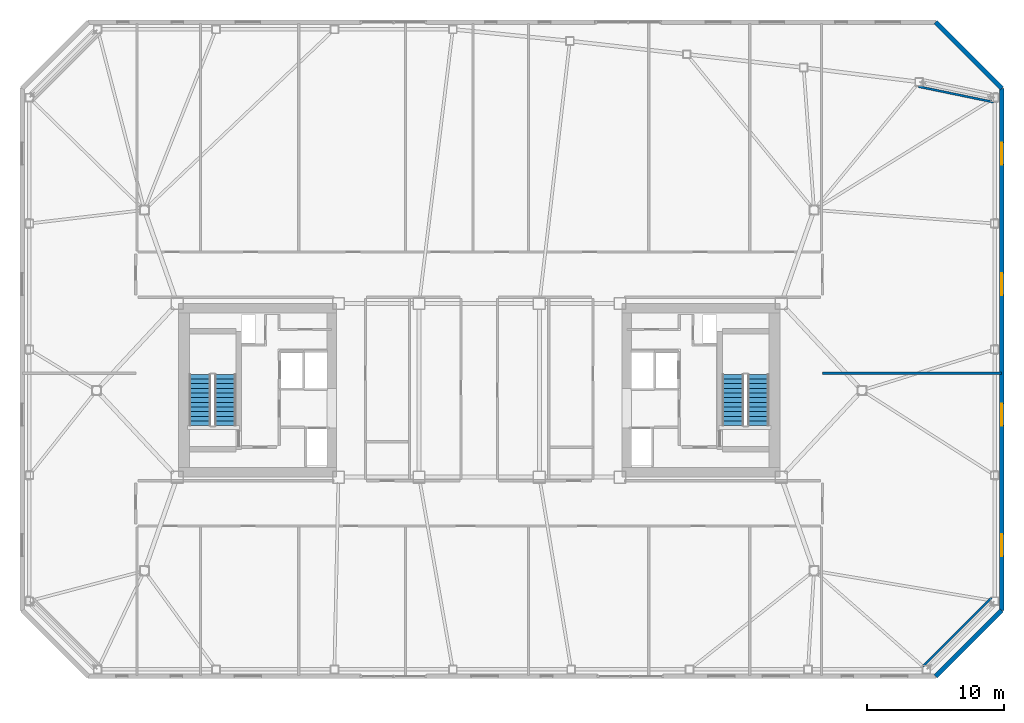
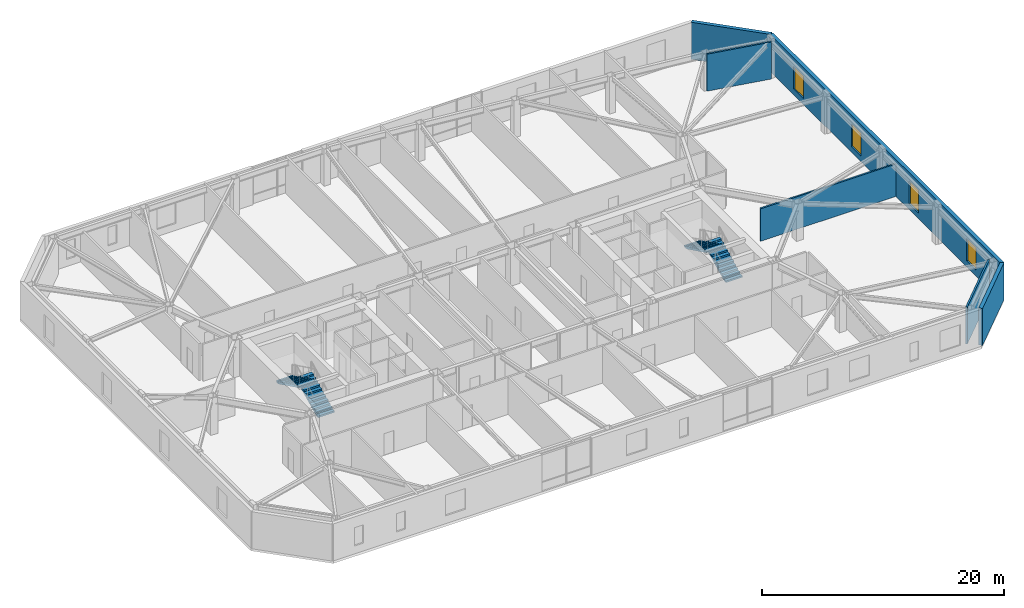
# One storey, part 14 of 18: 6 walls, 4 stair flights, 4 windows, 4 openings, 2 elements without a shape of their own.
"""IFC4 building model written with IfcOpenShell, lengths in metres."""

from ifc_helpers import new_model, si_unit, direction, frame, frame_2d, origin, place, context, subcontext, project, spatial, polyline, rectangle, outline, extrude, material, layer, layer_set, type_object, element, fill, aggregate, save


model = new_model("IFC4")

# Units and contexts
model_context = context("Model", 3, precision=1e-05, world=origin(), true_north=direction((0.0, 1.0)))
body_context = subcontext(model_context, "Body", "Model", "MODEL_VIEW")
ifc_project = project(units=[si_unit("LENGTHUNIT", "METRE"), si_unit("AREAUNIT", "SQUARE_METRE"), si_unit("VOLUMEUNIT", "CUBIC_METRE"), si_unit("PLANEANGLEUNIT", "RADIAN"), si_unit("MASSUNIT", "GRAM", prefix="KILO")], contexts=[model_context])

# Site, building, storey
site_placement = place(None, origin())
site = spatial("IfcSite", under=ifc_project, at=site_placement, CompositionType="ELEMENT")
building_placement = place(site_placement, origin())
building = spatial("IfcBuilding", under=site, at=building_placement, Name="Tavrogorsk Clinical Tower", CompositionType="ELEMENT")
storey_placement = place(building_placement, frame((0.0, 0.0, 192.199951171875)))
storey = spatial("IfcBuildingStorey", under=building, at=storey_placement, Name="L44", CompositionType="ELEMENT", Elevation=192.199951171875)

# Walls
ifc_material_1 = material(Name="Lightweight concrete blockwork B15", Category="masonry")
ifc_layer_1 = layer(ifc_material_1, 0.159912109375)
ifc_layer_set_1 = layer_set([ifc_layer_1], Name="Lightweight concrete blockwork B15")
wall_type_1 = type_object("IfcWallType", Name="PartitionWall_160", PredefinedType="PARTITIONING", material=ifc_layer_set_1)
wall_1_placement = place(storey_placement, frame((32.4794921875, -20.1796875, 0.0), z_axis=(0.0, 0.0, 1.0), x_axis=(0.707106781187, 0.707106781187, 0.0)))
element("IfcWall", 1, at=wall_1_placement, inside=storey, type_object=wall_type_1, Name="L44 Corner Exoskeleton Brace Furring Wall 1", PredefinedType="PARTITIONING", context=body_context, shape_type="SweptSolid", body=[
    extrude(rectangle(XDim=7.071044921875, YDim=0.159912109375, at=frame_2d((3.53564453125, 0.0))), origin(), (0.0, 0.0, 1.0), 3.739990234375),
])
wall_2_placement = place(storey_placement, frame((37.65087890625, 21.0869140625, 0.0), z_axis=(0.0, 0.0, 1.0), x_axis=(-0.979184618318, 0.202971631636, 0.0)))
element("IfcWall", 2, at=wall_2_placement, inside=storey, type_object=wall_type_1, Name="L44 Corner Exoskeleton Brace Furring Wall 2", PredefinedType="PARTITIONING", context=body_context, shape_type="SweptSolid", body=[
    extrude(rectangle(XDim=5.64599609375, YDim=0.159912109375, at=frame_2d((2.822998046875, 0.0))), origin(), (0.0, 0.0, 1.0), 3.739990234375),
])
wall_3_placement = place(storey_placement, frame((25.1298828125, 1.25, 0.0), z_axis=(0.0, 0.0, 1.0), x_axis=(1.0, 0.0, 0.0)))
element("IfcWall", 3, at=wall_3_placement, inside=storey, type_object=wall_type_1, Name="L44 E Wing Divider 1", PredefinedType="PARTITIONING", context=body_context, shape_type="SweptSolid", body=[
    extrude(rectangle(XDim=13.080078125, YDim=0.159912109375, at=frame_2d((6.5400390625, 0.0))), origin(), (0.0, 0.0, 1.0), 3.28515625),
])

# Wall, openings, windows
ifc_material_2 = material(Name="Precast concrete B45 with limestone cladding", Category="masonry")
ifc_layer_2 = layer(ifc_material_2, 0.340087890625)
ifc_layer_set_2 = layer_set([ifc_layer_2], Name="Precast concrete B45 with limestone cladding")
wall_type_2 = type_object("IfcWallType", Name="PrecastLimestoneWall_340", PredefinedType="STANDARD", material=ifc_layer_set_2)
wall_4_placement = place(storey_placement, frame((38.22998046875, -16.10009765625, 0.0), z_axis=(0.0, 0.0, 1.0), x_axis=(0.0, 1.0, 0.0)))
wall_4 = element("IfcWall", 4, at=wall_4_placement, inside=storey, type_object=wall_type_2, Name="L44 E Pleated Limestone Wing Wall", PredefinedType="STANDARD", context=body_context, shape_type="SweptSolid", body=[
    extrude(rectangle(XDim=38.2001953125, YDim=0.340087890625, at=frame_2d((19.10009765625, 0.0))), origin(), (0.0, 0.0, 1.0), 3.739990234375),
])
opening_1_placement = place(wall_4_placement, frame((3.97509765625, 0.0, 0.580078125)))
opening_1 = element("IfcOpeningElement", 5, at=opening_1_placement, cuts=wall_4, Name="Opening WN-07", PredefinedType="OPENING", context=body_context, shape_type="SweptSolid", body=[
    extrude(rectangle(XDim=1.60009765625, YDim=2.300048828125, at=frame_2d((0.800048828125, 1.14990234375))), frame((0.0, 0.179931640625, 0.0), z_axis=(0.0, -1.0, 0.0), x_axis=(1.0, 0.0, 0.0)), (0.0, 0.0, 1.0), 0.360107421875),
])
opening_2_placement = place(wall_4_placement, frame((13.52490234375, 0.0, 0.580078125)))
opening_2 = element("IfcOpeningElement", 6, at=opening_2_placement, cuts=wall_4, Name="Opening WN-07", PredefinedType="OPENING", context=body_context, shape_type="SweptSolid", body=[
    extrude(rectangle(XDim=1.60009765625, YDim=2.300048828125, at=frame_2d((0.800048828125, 1.14990234375))), frame((0.0, 0.179931640625, 0.0), z_axis=(0.0, -1.0, 0.0), x_axis=(1.0, 0.0, 0.0)), (0.0, 0.0, 1.0), 0.360107421875),
])
opening_3_placement = place(wall_4_placement, frame((23.074951171875, 0.0, 0.580078125)))
opening_3 = element("IfcOpeningElement", 7, at=opening_3_placement, cuts=wall_4, Name="Opening WN-07", PredefinedType="OPENING", context=body_context, shape_type="SweptSolid", body=[
    extrude(rectangle(XDim=1.60009765625, YDim=2.300048828125, at=frame_2d((0.800048828125, 1.14990234375))), frame((0.0, 0.179931640625, 0.0), z_axis=(0.0, -1.0, 0.0), x_axis=(1.0, 0.0, 0.0)), (0.0, 0.0, 1.0), 0.360107421875),
])
opening_4_placement = place(wall_4_placement, frame((32.625, 0.0, 0.580078125)))
opening_4 = element("IfcOpeningElement", 8, at=opening_4_placement, cuts=wall_4, Name="Opening WN-07", PredefinedType="OPENING", context=body_context, shape_type="SweptSolid", body=[
    extrude(rectangle(XDim=1.60009765625, YDim=2.300048828125, at=frame_2d((0.800048828125, 1.14990234375))), frame((0.0, 0.179931640625, 0.0), z_axis=(0.0, -1.0, 0.0), x_axis=(1.0, 0.0, 0.0)), (0.0, 0.0, 1.0), 0.360107421875),
])
ifc_material_3 = material(Name="Thermally broken aluminium frame and triple IGU", Category="aluminium")
window_type = type_object("IfcWindowType", Name="PleatSlotWin_1600x2300", PartitioningType="SINGLE_PANEL", PredefinedType="WINDOW", material=ifc_material_3)
window_1_placement = place(opening_1_placement, origin())
window_1 = element("IfcWindow", 9, at=window_1_placement, inside=storey, type_object=window_type, Name="L44 E Pleat Slot Window 1", OverallHeight=2.300048828125, OverallWidth=1.60009765625, PartitioningType="SINGLE_PANEL", PredefinedType="WINDOW", context=body_context, shape_type="SweptSolid", body=[
    extrude(rectangle(XDim=1.60009765625, YDim=2.300048828125, at=frame_2d((0.800048828125, 1.14990234375))), frame((0.0, 0.030029296875, 0.0), z_axis=(0.0, -1.0, 0.0), x_axis=(1.0, 0.0, 0.0)), (0.0, 0.0, 1.0), 0.06005859375),
])
fill(opening_1, window_1)
window_2_placement = place(opening_2_placement, origin())
window_2 = element("IfcWindow", 10, at=window_2_placement, inside=storey, type_object=window_type, Name="L44 E Pleat Slot Window 2", OverallHeight=2.300048828125, OverallWidth=1.60009765625, PartitioningType="SINGLE_PANEL", PredefinedType="WINDOW", context=body_context, shape_type="SweptSolid", body=[
    extrude(rectangle(XDim=1.60009765625, YDim=2.300048828125, at=frame_2d((0.800048828125, 1.14990234375))), frame((0.0, 0.030029296875, 0.0), z_axis=(0.0, -1.0, 0.0), x_axis=(1.0, 0.0, 0.0)), (0.0, 0.0, 1.0), 0.06005859375),
])
fill(opening_2, window_2)
window_3_placement = place(opening_3_placement, origin())
window_3 = element("IfcWindow", 11, at=window_3_placement, inside=storey, type_object=window_type, Name="L44 E Pleat Slot Window 3", OverallHeight=2.300048828125, OverallWidth=1.60009765625, PartitioningType="SINGLE_PANEL", PredefinedType="WINDOW", context=body_context, shape_type="SweptSolid", body=[
    extrude(rectangle(XDim=1.60009765625, YDim=2.300048828125, at=frame_2d((0.800048828125, 1.14990234375))), frame((0.0, 0.030029296875, 0.0), z_axis=(0.0, -1.0, 0.0), x_axis=(1.0, 0.0, 0.0)), (0.0, 0.0, 1.0), 0.06005859375),
])
fill(opening_3, window_3)
window_4_placement = place(opening_4_placement, origin())
window_4 = element("IfcWindow", 12, at=window_4_placement, inside=storey, type_object=window_type, Name="L44 E Pleat Slot Window 4", OverallHeight=2.300048828125, OverallWidth=1.60009765625, PartitioningType="SINGLE_PANEL", PredefinedType="WINDOW", context=body_context, shape_type="SweptSolid", body=[
    extrude(rectangle(XDim=1.60009765625, YDim=2.300048828125, at=frame_2d((0.800048828125, 1.14990234375))), frame((0.0, 0.030029296875, 0.0), z_axis=(0.0, -1.0, 0.0), x_axis=(1.0, 0.0, 0.0)), (0.0, 0.0, 1.0), 0.06005859375),
])
fill(opening_4, window_4)

# Walls
for number, where, z_axis, x_axis, name in (
    (13, (33.39990234375, -20.929931640625, 0.0), (0.0, 0.0, 1.0), (0.707124652085, 0.707088909836, 0.0), "L44 Chamfered Corner Wall 1"),
    (14, (38.22998046875, 22.10009765625, 0.0), (0.0, 0.0, 1.0), (-0.707124652085, 0.707088909836, 0.0), "L44 Chamfered Corner Wall 2"),
):
    element("IfcWall", number, at=place(storey_placement, frame(where, z_axis=z_axis, x_axis=x_axis)), inside=storey, type_object=wall_type_2, Name=name, PredefinedType="STANDARD", context=body_context, shape_type="SweptSolid", body=[
        extrude(rectangle(XDim=6.83056640625, YDim=0.340087890625, at=frame_2d((3.415283203125, 0.0))), origin(), (0.0, 0.0, 1.0), 3.739990234375),
    ])

# Stair, stair flights
ifc_material_4 = material(Name="Concrete B60", Category="concrete")
stair_type = type_object("IfcStairType", Name="CoreStairAssembly", PredefinedType="HALF_TURN_STAIR", material=ifc_material_4)
stair_1_placement = place(storey_placement, origin())
stair_1 = element("IfcStair", 15, at=stair_1_placement, inside=storey, type_object=stair_type, Name="L44 ST-W", PredefinedType="HALF_TURN_STAIR")
ifc_material_5 = material(Name="Concrete B60", Category="concrete")
stair_flight_type = type_object("IfcStairFlightType", Name="CoreStairFlight", PredefinedType="STRAIGHT", material=ifc_material_5)
stair_flight_1_placement = place(storey_placement, frame((-18.574951171875, -2.574951171875, 0.0), z_axis=(0.0, 0.0, 1.0), x_axis=(0.0, 1.0, 0.0)))
stair_flight_1 = element("IfcStairFlight", 16, at=stair_flight_1_placement, type_object=stair_flight_type, Name="ST-W flight 1", NumberOfRisers=12, NumberOfTreads=11, PredefinedType="STRAIGHT", RiserHeight=0.166666667, TreadLength=0.34, context=body_context, shape_type="SweptSolid", body=[
    extrude(outline(polyline([(0.0, 0.0), (0.0, 0.166748046875), (0.340087890625, 0.166748046875), (0.340087890625, 0.333251953125), (0.679931640625, 0.333251953125), (0.679931640625, 0.5), (1.02001953125, 0.5), (1.02001953125, 0.666748046875), (1.360107421875, 0.666748046875), (1.360107421875, 0.833251953125), (1.699951171875, 0.833251953125), (1.699951171875, 1.0), (2.0400390625, 1.0), (2.0400390625, 1.166748046875), (2.3798828125, 1.166748046875), (2.3798828125, 1.333251953125), (2.719970703125, 1.333251953125), (2.719970703125, 1.5), (3.06005859375, 1.5), (3.06005859375, 1.666748046875), (3.39990234375, 1.666748046875), (3.39990234375, 1.833251953125), (3.739990234375, 1.833251953125), (3.739990234375, 2.0), (3.739990234375, 1.66650390625), (0.340576171875, 0.0), (0.0, 0.0)])), frame((0.0, 0.77490234375, 0.0), z_axis=(0.0, -1.0, 0.0), x_axis=(1.0, 0.0, 0.0)), (0.0, 0.0, 1.0), 1.550048828125),
])
stair_flight_2_placement = place(storey_placement, frame((-20.425048828125, 1.1650390625, 2.0), z_axis=(0.0, 0.0, 1.0), x_axis=(0.0, -1.0, 0.0)))
stair_flight_2 = element("IfcStairFlight", 17, at=stair_flight_2_placement, type_object=stair_flight_type, Name="ST-W flight 2", NumberOfRisers=12, NumberOfTreads=11, PredefinedType="STRAIGHT", RiserHeight=0.166666667, TreadLength=0.34, context=body_context, shape_type="SweptSolid", body=[
    extrude(outline(polyline([(0.0, 0.0), (0.0, 0.166748046875), (0.340087890625, 0.166748046875), (0.340087890625, 0.333251953125), (0.679931640625, 0.333251953125), (0.679931640625, 0.5), (1.02001953125, 0.5), (1.02001953125, 0.666748046875), (1.360107421875, 0.666748046875), (1.360107421875, 0.833251953125), (1.699951171875, 0.833251953125), (1.699951171875, 1.0), (2.0400390625, 1.0), (2.0400390625, 1.166748046875), (2.3798828125, 1.166748046875), (2.3798828125, 1.333251953125), (2.719970703125, 1.333251953125), (2.719970703125, 1.5), (3.06005859375, 1.5), (3.06005859375, 1.666748046875), (3.39990234375, 1.666748046875), (3.39990234375, 1.833251953125), (3.739990234375, 1.833251953125), (3.739990234375, 2.0), (3.739990234375, 1.66650390625), (0.340576171875, 0.0), (0.0, 0.0)])), frame((0.0, 0.77490234375, 0.0), z_axis=(0.0, -1.0, 0.0), x_axis=(1.0, 0.0, 0.0)), (0.0, 0.0, 1.0), 1.550048828125),
])
aggregate(stair_1, [stair_flight_1, stair_flight_2])

stair_2_placement = place(storey_placement, origin())
stair_2 = element("IfcStair", 18, at=stair_2_placement, inside=storey, type_object=stair_type, Name="L44 ST-E", PredefinedType="HALF_TURN_STAIR")
stair_flight_3_placement = place(storey_placement, frame((20.425048828125, -2.574951171875, 0.0), z_axis=(0.0, 0.0, 1.0), x_axis=(0.0, 1.0, 0.0)))
stair_flight_3 = element("IfcStairFlight", 19, at=stair_flight_3_placement, type_object=stair_flight_type, Name="ST-E flight 1", NumberOfRisers=12, NumberOfTreads=11, PredefinedType="STRAIGHT", RiserHeight=0.166666667, TreadLength=0.34, context=body_context, shape_type="SweptSolid", body=[
    extrude(outline(polyline([(0.0, 0.0), (0.0, 0.166748046875), (0.340087890625, 0.166748046875), (0.340087890625, 0.333251953125), (0.679931640625, 0.333251953125), (0.679931640625, 0.5), (1.02001953125, 0.5), (1.02001953125, 0.666748046875), (1.360107421875, 0.666748046875), (1.360107421875, 0.833251953125), (1.699951171875, 0.833251953125), (1.699951171875, 1.0), (2.0400390625, 1.0), (2.0400390625, 1.166748046875), (2.3798828125, 1.166748046875), (2.3798828125, 1.333251953125), (2.719970703125, 1.333251953125), (2.719970703125, 1.5), (3.06005859375, 1.5), (3.06005859375, 1.666748046875), (3.39990234375, 1.666748046875), (3.39990234375, 1.833251953125), (3.739990234375, 1.833251953125), (3.739990234375, 2.0), (3.739990234375, 1.66650390625), (0.340576171875, 0.0), (0.0, 0.0)])), frame((0.0, 0.77490234375, 0.0), z_axis=(0.0, -1.0, 0.0), x_axis=(1.0, 0.0, 0.0)), (0.0, 0.0, 1.0), 1.550048828125),
])
stair_flight_4_placement = place(storey_placement, frame((18.574951171875, 1.1650390625, 2.0), z_axis=(0.0, 0.0, 1.0), x_axis=(0.0, -1.0, 0.0)))
stair_flight_4 = element("IfcStairFlight", 20, at=stair_flight_4_placement, type_object=stair_flight_type, Name="ST-E flight 2", NumberOfRisers=12, NumberOfTreads=11, PredefinedType="STRAIGHT", RiserHeight=0.166666667, TreadLength=0.34, context=body_context, shape_type="SweptSolid", body=[
    extrude(outline(polyline([(0.0, 0.0), (0.0, 0.166748046875), (0.340087890625, 0.166748046875), (0.340087890625, 0.333251953125), (0.679931640625, 0.333251953125), (0.679931640625, 0.5), (1.02001953125, 0.5), (1.02001953125, 0.666748046875), (1.360107421875, 0.666748046875), (1.360107421875, 0.833251953125), (1.699951171875, 0.833251953125), (1.699951171875, 1.0), (2.0400390625, 1.0), (2.0400390625, 1.166748046875), (2.3798828125, 1.166748046875), (2.3798828125, 1.333251953125), (2.719970703125, 1.333251953125), (2.719970703125, 1.5), (3.06005859375, 1.5), (3.06005859375, 1.666748046875), (3.39990234375, 1.666748046875), (3.39990234375, 1.833251953125), (3.739990234375, 1.833251953125), (3.739990234375, 2.0), (3.739990234375, 1.66650390625), (0.340576171875, 0.0), (0.0, 0.0)])), frame((0.0, 0.77490234375, 0.0), z_axis=(0.0, -1.0, 0.0), x_axis=(1.0, 0.0, 0.0)), (0.0, 0.0, 1.0), 1.550048828125),
])
aggregate(stair_2, [stair_flight_3, stair_flight_4])

save(model, "model.ifc")
